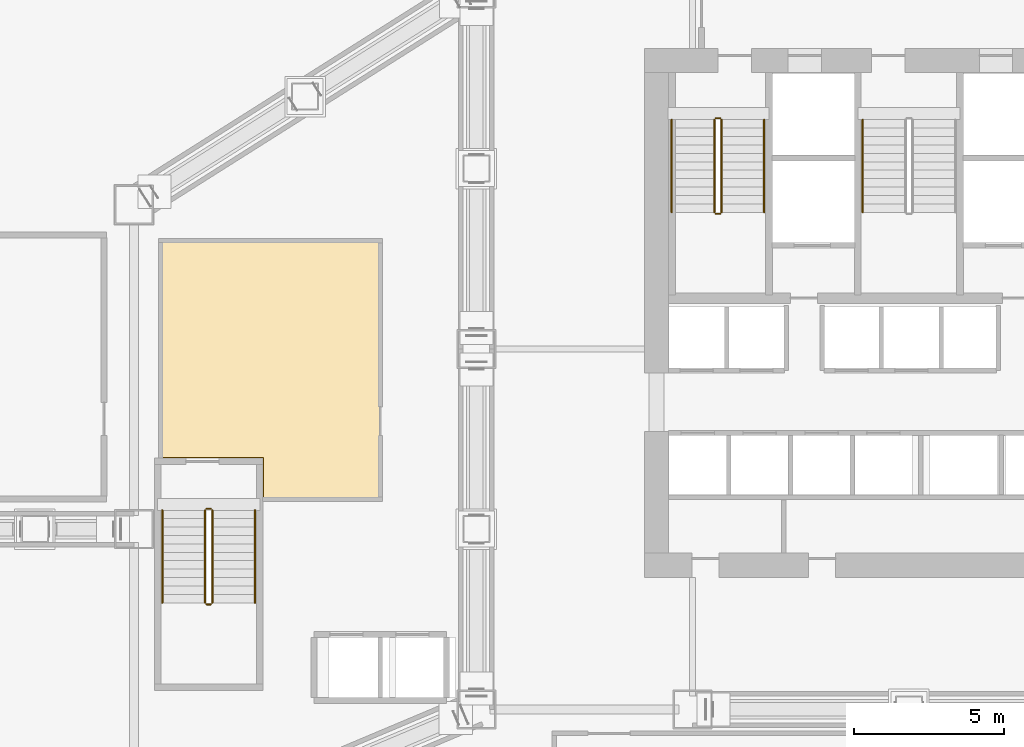
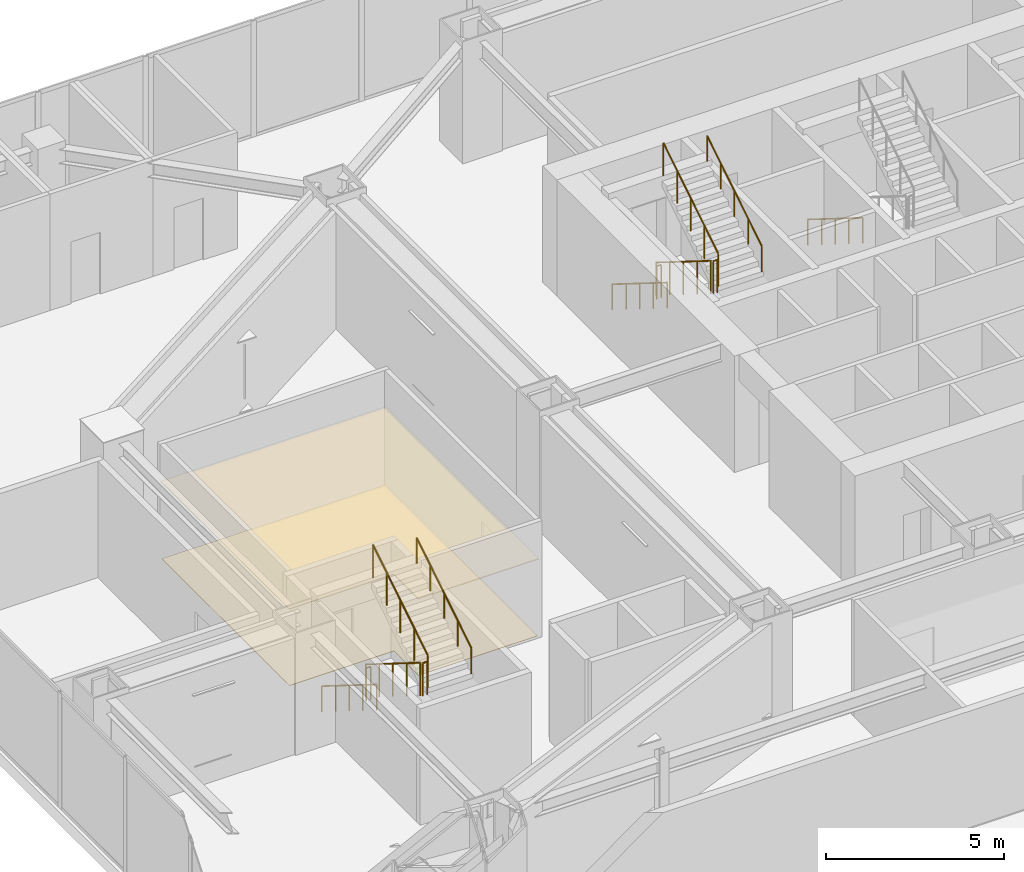
# One storey, part 36 of 39: 13 railings, 2 coverings.
"""IFC4 building model written with IfcOpenShell, lengths in metres."""

from ifc_helpers import new_model, si_unit, direction, frame, origin, origin_2d, place, context, subcontext, project, spatial, polyline, circle, outline, extrude, material, layer, layer_set, type_object, element, save


model = new_model("IFC4")

# Units and contexts
model_context = context("Model", 3, precision=1e-05, world=origin(), true_north=direction((0.0, 1.0)))
body_context = subcontext(model_context, "Body", "Model", "MODEL_VIEW")
ifc_project = project(units=[si_unit("LENGTHUNIT", "METRE"), si_unit("AREAUNIT", "SQUARE_METRE"), si_unit("VOLUMEUNIT", "CUBIC_METRE"), si_unit("PLANEANGLEUNIT", "RADIAN"), si_unit("MASSUNIT", "GRAM", prefix="KILO")], contexts=[model_context])

# Site, building, storey
site_placement = place(None, origin())
site = spatial("IfcSite", under=ifc_project, at=site_placement, CompositionType="ELEMENT")
building_placement = place(site_placement, origin())
building = spatial("IfcBuilding", under=site, at=building_placement, Name="Haolan Belvedere Tower", CompositionType="ELEMENT")
storey_placement = place(building_placement, frame((0.0, 0.0, 19.800048828125)))
storey = spatial("IfcBuildingStorey", under=building, at=storey_placement, Name="L04", CompositionType="ELEMENT", Elevation=19.800048828125)

# Coverings
ifc_material_1 = material(Name="Acoustic mineral-fibre suspended ceiling system", Category="masonry")
ifc_layer_1 = layer(ifc_material_1, 0.02490234375, Name="Acoustic mineral-fibre suspended ceiling system")
ifc_layer_set_1 = layer_set([ifc_layer_1], Name="Acoustic mineral-fibre suspended ceiling system")
covering_type_1 = type_object("IfcCoveringType", Name="COV-CEIL-AC25", PredefinedType="CEILING", material=ifc_layer_set_1)
covering_1_placement = place(storey_placement, frame((0.0, 0.0, 2.64990234375)))
element("IfcCovering", 1, at=covering_1_placement, inside=storey, type_object=covering_type_1, Name="L04 suspended acoustic ceiling L04-GYM.3", PredefinedType="CEILING", context=body_context, shape_type="SweptSolid", body=[
    extrude(outline(polyline([(20.81201171875, 28.587890625), (20.81201171875, 37.2119140625), (13.488037109375, 37.2119140625), (13.488037109375, 29.968017578125), (16.887939453125, 29.968017578125), (16.887939453125, 28.587890625), (20.81201171875, 28.587890625)])), origin(), (0.0, 0.0, 1.0), 0.025146484375),
])
ifc_material_2 = material(Name="Honed terrazzo and natural granite stone flooring", Category="masonry")
ifc_layer_2 = layer(ifc_material_2, 0.014892578125, Name="Honed terrazzo and natural granite stone flooring")
ifc_layer_set_2 = layer_set([ifc_layer_2], Name="Honed terrazzo and natural granite stone flooring")
covering_type_2 = type_object("IfcCoveringType", Name="COV-FLR-STN30", PredefinedType="FLOORING", material=ifc_layer_set_2)
covering_2_placement = place(storey_placement, origin())
element("IfcCovering", 2, at=covering_2_placement, inside=storey, type_object=covering_type_2, Name="L04 polished stone floor finish L04-GYM.3", PredefinedType="FLOORING", context=body_context, shape_type="SweptSolid", body=[
    extrude(outline(polyline([(20.787109375, 37.18701171875), (13.512939453125, 37.18701171875), (13.512939453125, 29.992919921875), (16.9130859375, 29.992919921875), (16.9130859375, 28.613037109375), (20.787109375, 28.613037109375), (20.787109375, 37.18701171875)])), origin(), (0.0, 0.0, 1.0), 0.014892578125),
])

# Railings
ifc_material_3 = material(Name="Brushed stainless steel 304", Category="steel")
railing_type_1 = type_object("IfcRailingType", Name="RL-STAIR-GRD-1150", PredefinedType="GUARDRAIL", material=ifc_material_3)
railing_1_placement = place(storey_placement, frame((31.919921875, 41.22998046875, 0.175048828125)))
element("IfcRailing", 3, at=railing_1_placement, inside=storey, type_object=railing_type_1, Name="L04 ST1 stair guard 1", PredefinedType="GUARDRAIL", context=body_context, shape_type="SweptSolid", body=[
    extrude(circle(Radius=0.02392578125, at=origin_2d()), frame((0.0, 0.0, 1.1259765625), z_axis=(0.0, -0.848028513186, 0.529950602248), x_axis=(1.0, 0.0, 0.0)), (0.0, 0.0, 1.0), 3.632080078125),
    extrude(circle(Radius=0.02099609375, at=origin_2d()), origin(), (0.0, 0.0, 1.0), 1.101806640625),
    extrude(circle(Radius=0.02099609375, at=origin_2d()), frame((0.0, -0.77001953125, 0.481201171875)), (0.0, 0.0, 1.0), 1.101806640625),
    extrude(circle(Radius=0.02099609375, at=origin_2d()), frame((0.0, -1.5400390625, 0.96240234375)), (0.0, 0.0, 1.0), 1.101806640625),
    extrude(circle(Radius=0.02099609375, at=origin_2d()), frame((0.0, -2.31005859375, 1.443603515625)), (0.0, 0.0, 1.0), 1.101806640625),
    extrude(circle(Radius=0.02099609375, at=origin_2d()), frame((0.0, -3.080078125, 1.9248046875)), (0.0, 0.0, 1.0), 1.101806640625),
])
railing_2_placement = place(storey_placement, frame((31.969970703125, 38.10009765625, 2.099853515625)))
element("IfcRailing", 4, at=railing_2_placement, inside=storey, type_object=railing_type_1, Name="L04 ST1 stair guard 2", PredefinedType="GUARDRAIL", context=body_context, shape_type="SweptSolid", body=[
    extrude(circle(Radius=0.02392578125, at=origin_2d()), frame((0.0, 0.0, 1.1259765625), z_axis=(1.0, 0.0, 0.0), x_axis=(0.0, 1.0, 0.0)), (0.0, 0.0, 1.0), 0.14013671875),
    extrude(circle(Radius=0.02099609375, at=origin_2d()), origin(), (0.0, 0.0, 1.0), 1.101806640625),
    extrude(circle(Radius=0.02099609375, at=origin_2d()), frame((0.14013671875, 0.0, 0.0)), (0.0, 0.0, 1.0), 1.101806640625),
])
railing_3_placement = place(storey_placement, frame((32.159912109375, 38.14990234375, 2.27490234375)))
element("IfcRailing", 5, at=railing_3_placement, inside=storey, type_object=railing_type_1, Name="L04 ST1 stair guard 3", PredefinedType="GUARDRAIL", context=body_context, shape_type="SweptSolid", body=[
    extrude(circle(Radius=0.02392578125, at=origin_2d()), frame((0.0, 0.0, 1.1259765625), z_axis=(0.0, 0.847998304005, 0.529998940003), x_axis=(-1.0, 0.0, 0.0)), (0.0, 0.0, 1.0), 3.632080078125),
    extrude(circle(Radius=0.02099609375, at=origin_2d()), origin(), (0.0, 0.0, 1.0), 1.101806640625),
    extrude(circle(Radius=0.02099609375, at=origin_2d()), frame((0.0, 0.77001953125, 0.481201171875)), (0.0, 0.0, 1.0), 1.101806640625),
    extrude(circle(Radius=0.02099609375, at=origin_2d()), frame((0.0, 1.5400390625, 0.96240234375)), (0.0, 0.0, 1.0), 1.101806640625),
    extrude(circle(Radius=0.02099609375, at=origin_2d()), frame((0.0, 2.31005859375, 1.44384765625)), (0.0, 0.0, 1.0), 1.101806640625),
    extrude(circle(Radius=0.02099609375, at=origin_2d()), frame((0.0, 3.080078125, 1.925048828125)), (0.0, 0.0, 1.0), 1.101806640625),
])
railing_4_placement = place(storey_placement, frame((31.969970703125, 41.280029296875, 0.0)))
element("IfcRailing", 6, at=railing_4_placement, inside=storey, type_object=railing_type_1, Name="L04 ST1 stair guard 4", PredefinedType="GUARDRAIL", context=body_context, shape_type="SweptSolid", body=[
    extrude(circle(Radius=0.02392578125, at=origin_2d()), frame((0.0, 0.0, 1.1259765625), z_axis=(1.0, 0.0, 0.0), x_axis=(0.0, 1.0, 0.0)), (0.0, 0.0, 1.0), 0.14013671875),
    extrude(circle(Radius=0.02099609375, at=origin_2d()), origin(), (0.0, 0.0, 1.0), 1.101806640625),
    extrude(circle(Radius=0.02099609375, at=origin_2d()), frame((0.14013671875, 0.0, 0.0)), (0.0, 0.0, 1.0), 1.101806640625),
])
railing_5_placement = place(storey_placement, frame((14.969970703125, 28.22998046875, 0.175048828125)))
element("IfcRailing", 7, at=railing_5_placement, inside=storey, type_object=railing_type_1, Name="L04 ST4 stair guard 1", PredefinedType="GUARDRAIL", context=body_context, shape_type="SweptSolid", body=[
    extrude(circle(Radius=0.02392578125, at=origin_2d()), frame((0.0, 0.0, 1.1259765625), z_axis=(0.0, -0.848028513186, 0.529950602248), x_axis=(1.0, 0.0, 0.0)), (0.0, 0.0, 1.0), 3.632080078125),
    extrude(circle(Radius=0.02099609375, at=origin_2d()), origin(), (0.0, 0.0, 1.0), 1.101806640625),
    extrude(circle(Radius=0.02099609375, at=origin_2d()), frame((0.0, -0.77001953125, 0.481201171875)), (0.0, 0.0, 1.0), 1.101806640625),
    extrude(circle(Radius=0.02099609375, at=origin_2d()), frame((0.0, -1.5400390625, 0.96240234375)), (0.0, 0.0, 1.0), 1.101806640625),
    extrude(circle(Radius=0.02099609375, at=origin_2d()), frame((0.0, -2.31005859375, 1.443603515625)), (0.0, 0.0, 1.0), 1.101806640625),
    extrude(circle(Radius=0.02099609375, at=origin_2d()), frame((0.0, -3.080078125, 1.9248046875)), (0.0, 0.0, 1.0), 1.101806640625),
])
railing_6_placement = place(storey_placement, frame((15.02001953125, 25.10009765625, 2.099853515625)))
element("IfcRailing", 8, at=railing_6_placement, inside=storey, type_object=railing_type_1, Name="L04 ST4 stair guard 2", PredefinedType="GUARDRAIL", context=body_context, shape_type="SweptSolid", body=[
    extrude(circle(Radius=0.02392578125, at=origin_2d()), frame((0.0, 0.0, 1.1259765625), z_axis=(1.0, 0.0, 0.0), x_axis=(0.0, 1.0, 0.0)), (0.0, 0.0, 1.0), 0.139892578125),
    extrude(circle(Radius=0.02099609375, at=origin_2d()), origin(), (0.0, 0.0, 1.0), 1.101806640625),
    extrude(circle(Radius=0.02099609375, at=origin_2d()), frame((0.139892578125, 0.0, 0.0)), (0.0, 0.0, 1.0), 1.101806640625),
])
railing_7_placement = place(storey_placement, frame((15.2099609375, 25.14990234375, 2.27490234375)))
element("IfcRailing", 9, at=railing_7_placement, inside=storey, type_object=railing_type_1, Name="L04 ST4 stair guard 3", PredefinedType="GUARDRAIL", context=body_context, shape_type="SweptSolid", body=[
    extrude(circle(Radius=0.02392578125, at=origin_2d()), frame((0.0, 0.0, 1.1259765625), z_axis=(0.0, 0.847998304005, 0.529998940003), x_axis=(-1.0, 0.0, 0.0)), (0.0, 0.0, 1.0), 3.632080078125),
    extrude(circle(Radius=0.02099609375, at=origin_2d()), origin(), (0.0, 0.0, 1.0), 1.101806640625),
    extrude(circle(Radius=0.02099609375, at=origin_2d()), frame((0.0, 0.77001953125, 0.481201171875)), (0.0, 0.0, 1.0), 1.101806640625),
    extrude(circle(Radius=0.02099609375, at=origin_2d()), frame((0.0, 1.5400390625, 0.96240234375)), (0.0, 0.0, 1.0), 1.101806640625),
    extrude(circle(Radius=0.02099609375, at=origin_2d()), frame((0.0, 2.31005859375, 1.44384765625)), (0.0, 0.0, 1.0), 1.101806640625),
    extrude(circle(Radius=0.02099609375, at=origin_2d()), frame((0.0, 3.080078125, 1.925048828125)), (0.0, 0.0, 1.0), 1.101806640625),
])
railing_8_placement = place(storey_placement, frame((15.02001953125, 28.280029296875, 0.0)))
element("IfcRailing", 10, at=railing_8_placement, inside=storey, type_object=railing_type_1, Name="L04 ST4 stair guard 4", PredefinedType="GUARDRAIL", context=body_context, shape_type="SweptSolid", body=[
    extrude(circle(Radius=0.02392578125, at=origin_2d()), frame((0.0, 0.0, 1.1259765625), z_axis=(1.0, 0.0, 0.0), x_axis=(0.0, 1.0, 0.0)), (0.0, 0.0, 1.0), 0.139892578125),
    extrude(circle(Radius=0.02099609375, at=origin_2d()), origin(), (0.0, 0.0, 1.0), 1.101806640625),
    extrude(circle(Radius=0.02099609375, at=origin_2d()), frame((0.139892578125, 0.0, 0.0)), (0.0, 0.0, 1.0), 1.101806640625),
])
railing_type_2 = type_object("IfcRailingType", Name="RL-STAIR-HND-900", PredefinedType="HANDRAIL", material=ifc_material_3)
railing_9_placement = place(storey_placement, frame((30.5, 41.22998046875, 0.175048828125)))
element("IfcRailing", 11, at=railing_9_placement, inside=storey, type_object=railing_type_2, Name="L04 ST1 stair handrail 1", PredefinedType="HANDRAIL", context=body_context, shape_type="SweptSolid", body=[
    extrude(circle(Radius=0.02392578125, at=origin_2d()), frame((0.0, 0.0, 0.8759765625), z_axis=(0.0, -0.848028513186, 0.529950602248), x_axis=(1.0, 0.0, 0.0)), (0.0, 0.0, 1.0), 3.632080078125),
    extrude(circle(Radius=0.02099609375, at=origin_2d()), origin(), (0.0, 0.0, 1.0), 0.851806640625),
    extrude(circle(Radius=0.02099609375, at=origin_2d()), frame((0.0, -0.77001953125, 0.481201171875)), (0.0, 0.0, 1.0), 0.851806640625),
    extrude(circle(Radius=0.02099609375, at=origin_2d()), frame((0.0, -1.5400390625, 0.96240234375)), (0.0, 0.0, 1.0), 0.851806640625),
    extrude(circle(Radius=0.02099609375, at=origin_2d()), frame((0.0, -2.31005859375, 1.443603515625)), (0.0, 0.0, 1.0), 0.851806640625),
    extrude(circle(Radius=0.02099609375, at=origin_2d()), frame((0.0, -3.080078125, 1.9248046875)), (0.0, 0.0, 1.0), 0.851806640625),
])
railing_10_placement = place(storey_placement, frame((33.580078125, 38.14990234375, 2.27490234375)))
element("IfcRailing", 12, at=railing_10_placement, inside=storey, type_object=railing_type_2, Name="L04 ST1 stair handrail 2", PredefinedType="HANDRAIL", context=body_context, shape_type="SweptSolid", body=[
    extrude(circle(Radius=0.02392578125, at=origin_2d()), frame((0.0, 0.0, 0.8759765625), z_axis=(0.0, 0.847998304005, 0.529998940003), x_axis=(-1.0, 0.0, 0.0)), (0.0, 0.0, 1.0), 3.632080078125),
    extrude(circle(Radius=0.02099609375, at=origin_2d()), origin(), (0.0, 0.0, 1.0), 0.851806640625),
    extrude(circle(Radius=0.02099609375, at=origin_2d()), frame((0.0, 0.77001953125, 0.481201171875)), (0.0, 0.0, 1.0), 0.851806640625),
    extrude(circle(Radius=0.02099609375, at=origin_2d()), frame((0.0, 1.5400390625, 0.96240234375)), (0.0, 0.0, 1.0), 0.851806640625),
    extrude(circle(Radius=0.02099609375, at=origin_2d()), frame((0.0, 2.31005859375, 1.44384765625)), (0.0, 0.0, 1.0), 0.851806640625),
    extrude(circle(Radius=0.02099609375, at=origin_2d()), frame((0.0, 3.080078125, 1.925048828125)), (0.0, 0.0, 1.0), 0.851806640625),
])
for number, where, name in (
    (13, (36.860107421875, 41.22998046875, 0.175048828125), "L04 ST3 stair handrail 1"),
    (14, (13.550048828125, 28.22998046875, 0.175048828125), "L04 ST4 stair handrail 1"),
):
    element("IfcRailing", number, at=place(storey_placement, frame(where)), inside=storey, type_object=railing_type_2, Name=name, PredefinedType="HANDRAIL", context=body_context, shape_type="SweptSolid", body=[
        extrude(circle(Radius=0.02392578125, at=origin_2d()), frame((0.0, 0.0, 0.8759765625), z_axis=(0.0, -0.848028513186, 0.529950602248), x_axis=(1.0, 0.0, 0.0)), (0.0, 0.0, 1.0), 3.632080078125),
        extrude(circle(Radius=0.02099609375, at=origin_2d()), origin(), (0.0, 0.0, 1.0), 0.851806640625),
        extrude(circle(Radius=0.02099609375, at=origin_2d()), frame((0.0, -0.77001953125, 0.481201171875)), (0.0, 0.0, 1.0), 0.851806640625),
        extrude(circle(Radius=0.02099609375, at=origin_2d()), frame((0.0, -1.5400390625, 0.96240234375)), (0.0, 0.0, 1.0), 0.851806640625),
        extrude(circle(Radius=0.02099609375, at=origin_2d()), frame((0.0, -2.31005859375, 1.443603515625)), (0.0, 0.0, 1.0), 0.851806640625),
        extrude(circle(Radius=0.02099609375, at=origin_2d()), frame((0.0, -3.080078125, 1.9248046875)), (0.0, 0.0, 1.0), 0.851806640625),
    ])
railing_11_placement = place(storey_placement, frame((16.6298828125, 25.14990234375, 2.27490234375)))
element("IfcRailing", 15, at=railing_11_placement, inside=storey, type_object=railing_type_2, Name="L04 ST4 stair handrail 2", PredefinedType="HANDRAIL", context=body_context, shape_type="SweptSolid", body=[
    extrude(circle(Radius=0.02392578125, at=origin_2d()), frame((0.0, 0.0, 0.8759765625), z_axis=(0.0, 0.847998304005, 0.529998940003), x_axis=(-1.0, 0.0, 0.0)), (0.0, 0.0, 1.0), 3.632080078125),
    extrude(circle(Radius=0.02099609375, at=origin_2d()), origin(), (0.0, 0.0, 1.0), 0.851806640625),
    extrude(circle(Radius=0.02099609375, at=origin_2d()), frame((0.0, 0.77001953125, 0.481201171875)), (0.0, 0.0, 1.0), 0.851806640625),
    extrude(circle(Radius=0.02099609375, at=origin_2d()), frame((0.0, 1.5400390625, 0.96240234375)), (0.0, 0.0, 1.0), 0.851806640625),
    extrude(circle(Radius=0.02099609375, at=origin_2d()), frame((0.0, 2.31005859375, 1.44384765625)), (0.0, 0.0, 1.0), 0.851806640625),
    extrude(circle(Radius=0.02099609375, at=origin_2d()), frame((0.0, 3.080078125, 1.925048828125)), (0.0, 0.0, 1.0), 0.851806640625),
])

save(model, "model.ifc")
